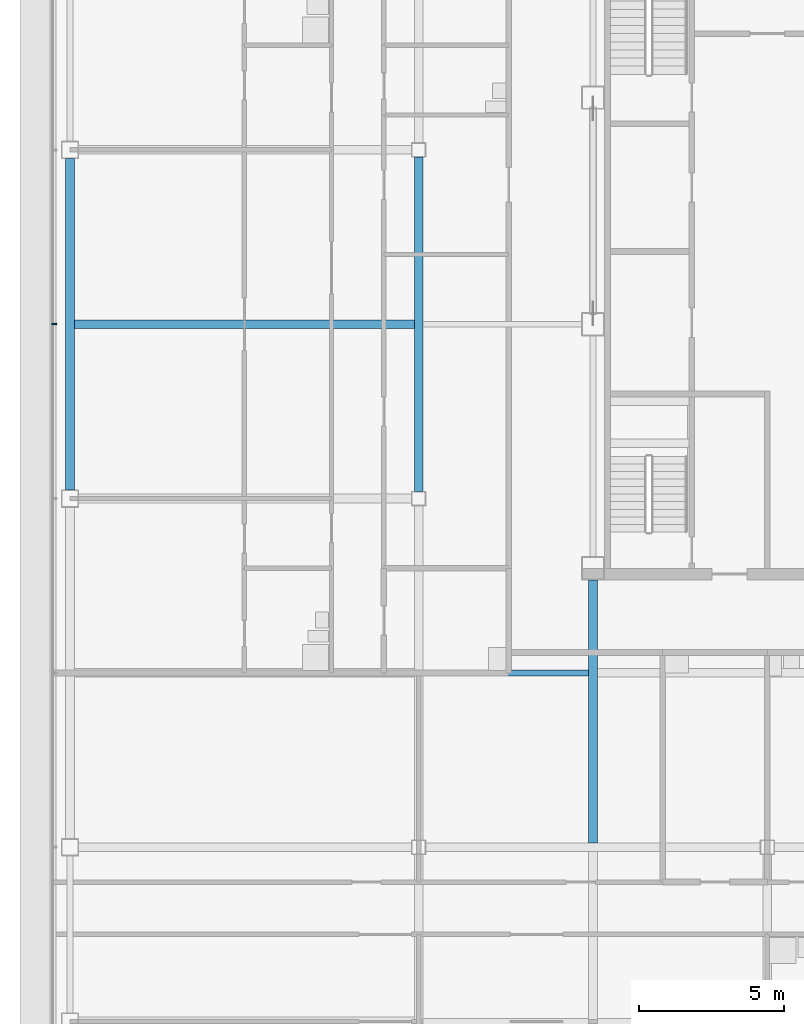
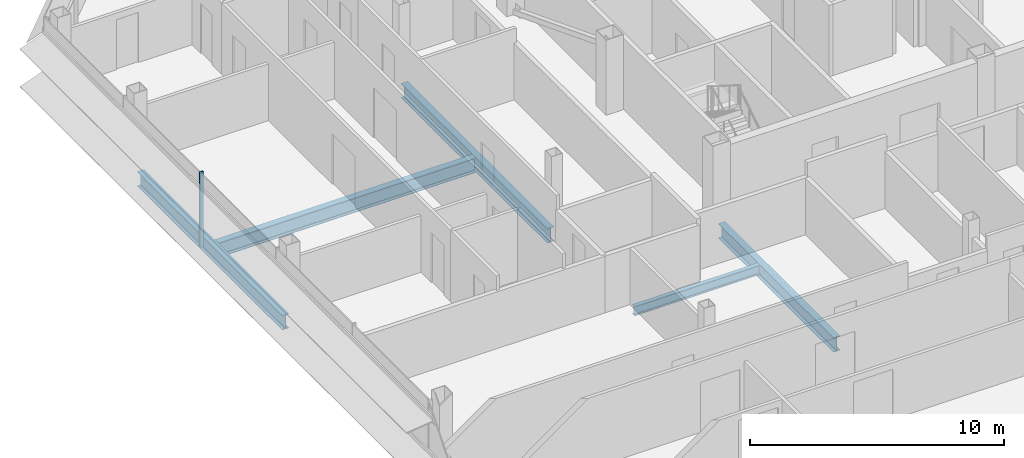
# One storey, part 7 of 28: 5 beams, 1 member, 1 element without a shape of its own.
"""IFC4 building model written with IfcOpenShell, lengths in metres."""

from ifc_helpers import new_model, si_unit, direction, frame, origin, origin_2d, place, context, subcontext, project, spatial, rectangle, i_section, extrude, material, material_profile, profile_set, type_object, element, aggregate, save


model = new_model("IFC4")

# Units and contexts
model_context = context("Model", 3, precision=1e-05, world=origin(), true_north=direction((0.0, 1.0)))
body_context = subcontext(model_context, "Body", "Model", "MODEL_VIEW")
ifc_project = project(units=[si_unit("LENGTHUNIT", "METRE"), si_unit("AREAUNIT", "SQUARE_METRE"), si_unit("VOLUMEUNIT", "CUBIC_METRE"), si_unit("PLANEANGLEUNIT", "RADIAN"), si_unit("MASSUNIT", "GRAM", prefix="KILO")], contexts=[model_context])

# Site, building, storey
site_placement = place(None, origin())
site = spatial("IfcSite", under=ifc_project, at=site_placement, CompositionType="ELEMENT")
building_placement = place(site_placement, origin())
building = spatial("IfcBuilding", under=site, at=building_placement, Name="Sorahane Residences", CompositionType="ELEMENT")
storey_placement = place(building_placement, frame((0.0, 0.0, 250.39990234375)))
storey = spatial("IfcBuildingStorey", under=building, at=storey_placement, Name="L59", CompositionType="ELEMENT", Elevation=250.39990234375)

# Curtain wall, member
ifc_material_1 = material(Name="Dark low-e glass and black anodised aluminium", Category="aluminium")
curtain_wall_type = type_object("IfcCurtainWallType", Name="Curtain wall CW-1 Typical unitised wall", PredefinedType="NOTDEFINED", material=ifc_material_1)
curtain_wall_placement = place(storey_placement, origin())
curtain_wall = element("IfcCurtainWall", 1, at=curtain_wall_placement, inside=storey, type_object=curtain_wall_type, Name="CW-1 curtain wall L59 W1", PredefinedType="NOTDEFINED")
ifc_material_2 = material(Name="Black anodised aluminium", Category="aluminium")
ifc_material_profile_1 = material_profile(ifc_material_2, rectangle(XDim=0.159912109375, YDim=0.050048828125, at=origin_2d()), Name="Curtain wall mullion CW-1 black anodised aluminium 50x160")
ifc_profile_set_1 = profile_set([ifc_material_profile_1], Name="Black anodised aluminium")
member_type = type_object("IfcMemberType", Name="Curtain wall mullion CW-1 black anodised aluminium 50x160", PredefinedType="MULLION", material=ifc_profile_set_1)
member_placement = place(storey_placement, frame((-12.5400390625, 30.0, -0.179931640625), z_axis=(0.0, 0.0, 1.0), x_axis=(-1.0, 0.0, 0.0)))
member = element("IfcMember", 2, at=member_placement, type_object=member_type, Name="CW-1 mullion L59 W1.3", PredefinedType="MULLION", context=body_context, shape_type="SweptSolid", body=[
    extrude(rectangle(XDim=0.159912109375, YDim=0.050048828125, at=origin_2d()), origin(), (0.0, 0.0, 1.0), 3.60009765625),
])
aggregate(curtain_wall, [member])

# Beams
ifc_material_3 = material(Name="Steel Q355B", Category="steel")
ifc_material_profile_2 = material_profile(ifc_material_3, i_section(OverallWidth=0.199951171875, OverallDepth=0.449951171875, WebThickness=0.009033203125, FlangeThickness=0.013916015625, FilletRadius=0.02001953125, at=origin_2d()), Name="HN 450x200x9x14")
ifc_profile_set_2 = profile_set([ifc_material_profile_2], Name="Steel Q355B")
beam_type_1 = type_object("IfcBeamType", Name="Steel floor beam HN 450x200x9x14 Q355B", PredefinedType="BEAM", material=ifc_profile_set_2)
beam_1_placement = place(storey_placement, frame((0.14990234375, 18.0, -0.40478515625), z_axis=(1.0, 0.0, 0.0), x_axis=(0.0, 1.0, 0.0)))
element("IfcBeam", 3, at=beam_1_placement, inside=storey, type_object=beam_type_1, Name="Beam L59 079", PredefinedType="BEAM", context=body_context, shape_type="SweptSolid", body=[
    extrude(i_section(OverallWidth=0.199951171875, OverallDepth=0.449951171875, WebThickness=0.009033203125, FlangeThickness=0.013916015625, FilletRadius=0.02001953125, at=origin_2d()), origin(), (0.0, 0.0, 1.0), 5.7001953125),
])
ifc_material_4 = material(Name="Steel Q355B", Category="steel")
ifc_material_profile_3 = material_profile(ifc_material_4, i_section(OverallWidth=0.300048828125, OverallDepth=0.699951171875, WebThickness=0.012939453125, FlangeThickness=0.02392578125, FilletRadius=0.028076171875, at=origin_2d()), Name="HN 700x300x13x24")
ifc_profile_set_3 = profile_set([ifc_material_profile_3], Name="Steel Q355B")
beam_type_2 = type_object("IfcBeamType", Name="Steel floor beam HN 700x300x13x24 Q355B", PredefinedType="BEAM", material=ifc_profile_set_3)
beam_2_placement = place(storey_placement, frame((-12.0, 24.300048828125, -0.52978515625), z_axis=(0.0, 1.0, 0.0), x_axis=(-1.0, 0.0, 0.0)))
element("IfcBeam", 4, at=beam_2_placement, inside=storey, type_object=beam_type_2, Name="Beam L59 022", PredefinedType="BEAM", context=body_context, shape_type="SweptSolid", body=[
    extrude(i_section(OverallWidth=0.300048828125, OverallDepth=0.699951171875, WebThickness=0.012939453125, FlangeThickness=0.02392578125, FilletRadius=0.028076171875, at=origin_2d()), origin(), (0.0, 0.0, 1.0), 11.39990234375),
])
beam_3_placement = place(storey_placement, frame((0.0, 24.25, -0.52978515625), z_axis=(0.0, 1.0, 0.0), x_axis=(-1.0, 0.0, 0.0)))
element("IfcBeam", 5, at=beam_3_placement, inside=storey, type_object=beam_type_2, Name="Beam L59 026", PredefinedType="BEAM", context=body_context, shape_type="SweptSolid", body=[
    extrude(i_section(OverallWidth=0.300048828125, OverallDepth=0.699951171875, WebThickness=0.012939453125, FlangeThickness=0.02392578125, FilletRadius=0.028076171875, at=origin_2d()), origin(), (0.0, 0.0, 1.0), 11.5),
])
beam_4_placement = place(storey_placement, frame((6.0, 12.14990234375, -0.52978515625), z_axis=(0.0, 1.0, 0.0), x_axis=(-1.0, 0.0, 0.0)))
element("IfcBeam", 6, at=beam_4_placement, inside=storey, type_object=beam_type_2, Name="Beam L59 029", PredefinedType="BEAM", context=body_context, shape_type="SweptSolid", body=[
    extrude(i_section(OverallWidth=0.300048828125, OverallDepth=0.699951171875, WebThickness=0.012939453125, FlangeThickness=0.02392578125, FilletRadius=0.028076171875, at=origin_2d()), origin(), (0.0, 0.0, 1.0), 9.050048828125),
])
beam_5_placement = place(storey_placement, frame((-11.85009765625, 30.0, -0.52978515625), z_axis=(1.0, 0.0, 0.0), x_axis=(0.0, 1.0, 0.0)))
element("IfcBeam", 7, at=beam_5_placement, inside=storey, type_object=beam_type_2, Name="Beam L59 085", PredefinedType="BEAM", context=body_context, shape_type="SweptSolid", body=[
    extrude(i_section(OverallWidth=0.300048828125, OverallDepth=0.699951171875, WebThickness=0.012939453125, FlangeThickness=0.02392578125, FilletRadius=0.028076171875, at=origin_2d()), origin(), (0.0, 0.0, 1.0), 11.7001953125),
])

save(model, "model.ifc")
